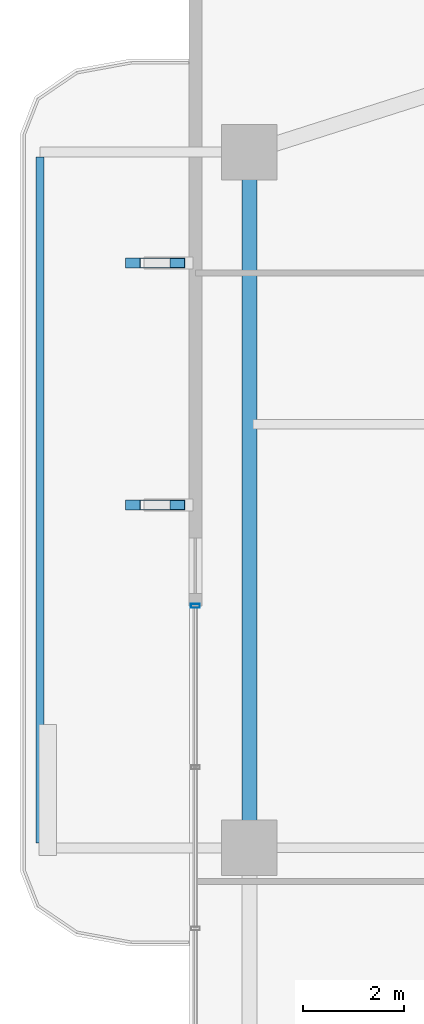
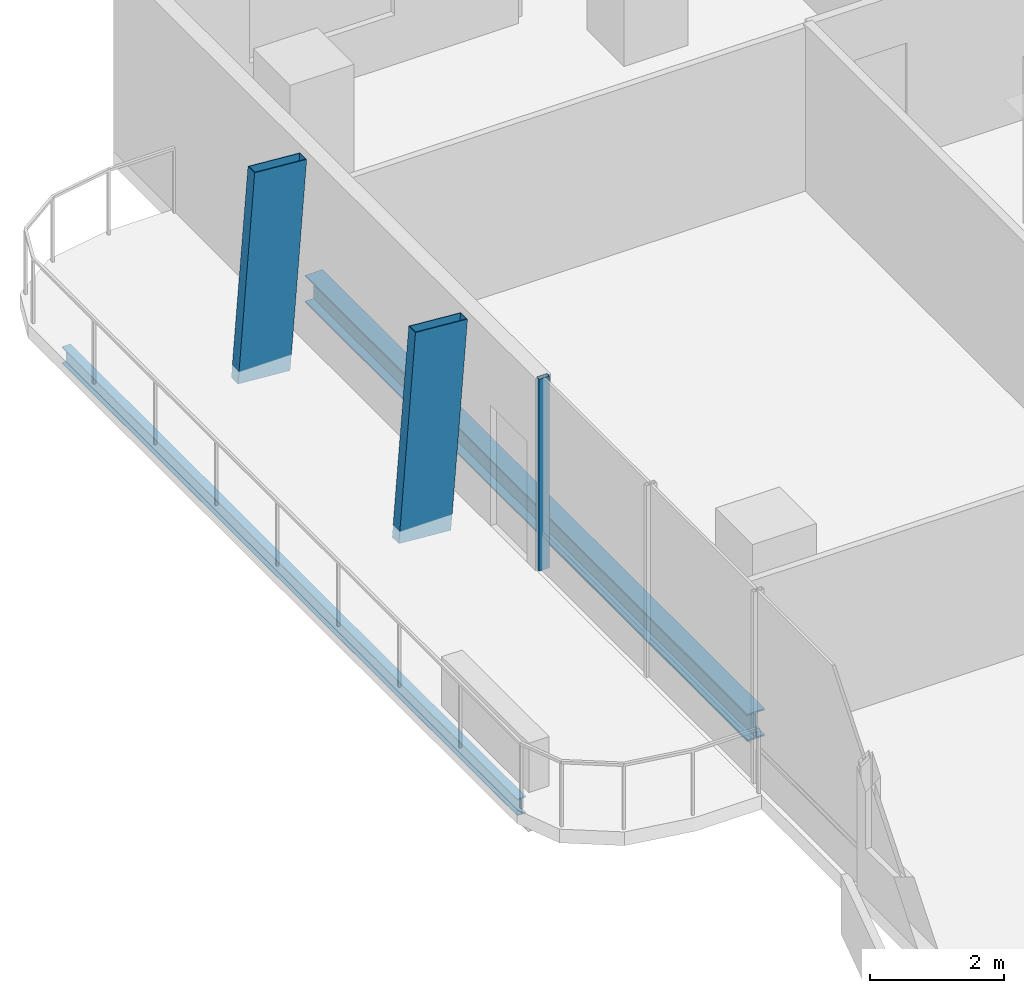
# One storey, part 12 of 25: 3 members, 2 beams, 1 element without a shape of its own.
"""IFC4 building model written with IfcOpenShell, lengths in metres."""

from ifc_helpers import new_model, si_unit, direction, frame, origin, origin_2d, place, context, subcontext, project, spatial, hollow_rectangle, i_section, extrude, material, layer, layer_set, material_profile, profile_set, type_object, element, aggregate, save


model = new_model("IFC4")

# Units and contexts
model_context = context("Model", 3, precision=1e-05, world=origin(), true_north=direction((0.0, 1.0)))
body_context = subcontext(model_context, "Body", "Model", "MODEL_VIEW")
ifc_project = project(units=[si_unit("LENGTHUNIT", "METRE"), si_unit("AREAUNIT", "SQUARE_METRE"), si_unit("VOLUMEUNIT", "CUBIC_METRE"), si_unit("PLANEANGLEUNIT", "RADIAN"), si_unit("MASSUNIT", "GRAM", prefix="KILO")], contexts=[model_context])

# Site, building, storey
site_placement = place(None, origin())
site = spatial("IfcSite", under=ifc_project, at=site_placement, CompositionType="ELEMENT")
building_placement = place(site_placement, origin())
building = spatial("IfcBuilding", under=site, at=building_placement, Name="Belovzor Exchange Tower", CompositionType="ELEMENT")
storey_placement = place(building_placement, frame((0.0, 0.0, 183.300048828125)))
storey = spatial("IfcBuildingStorey", under=building, at=storey_placement, Name="L45", CompositionType="ELEMENT", Elevation=183.300048828125)

# Beam
ifc_material_1 = material(Name="Steel S355", Category="steel")
ifc_material_profile_1 = material_profile(ifc_material_1, i_section(OverallWidth=0.14990234375, OverallDepth=0.300048828125, WebThickness=0.007080078125, FlangeThickness=0.0107421875, at=origin_2d()))
ifc_profile_set_1 = profile_set([ifc_material_profile_1], Name="Steel S355")
beam_type_1 = type_object("IfcBeamType", Name="Planted Balcony Fascia Edge Beam IPE 300", PredefinedType="BEAM", material=ifc_profile_set_1)
beam_1_placement = place(storey_placement, frame((1.547119140625, 42.5, -0.405029296875), z_axis=(0.0, -1.0, 0.0), x_axis=(1.0, 0.0, 0.0)))
element("IfcBeam", 1, at=beam_1_placement, inside=storey, type_object=beam_type_1, Name="BC-300 Planted Balcony Fascia Edge Beam IPE 300", PredefinedType="BEAM", context=body_context, shape_type="SweptSolid", body=[
    extrude(i_section(OverallWidth=0.14990234375, OverallDepth=0.300048828125, WebThickness=0.007080078125, FlangeThickness=0.0107421875, at=origin_2d()), origin(), (0.0, 0.0, 1.0), 13.60009765625),
])

# Members
ifc_material_2 = material(Name="Extruded Architectural Terracotta on Steel S355 Carrier", Category="masonry")
ifc_material_profile_2 = material_profile(ifc_material_2, hollow_rectangle(XDim=0.199951171875, YDim=0.89990234375, WallThickness=0.011962890625, at=origin_2d()))
ifc_profile_set_2 = profile_set([ifc_material_profile_2], Name="Extruded Architectural Terracotta on Steel S355 Carrier")
member_type_1 = type_object("IfcMemberType", Name="Sweeping Terracotta Baguette Fin Assembly 1250", PredefinedType="USERDEFINED", material=ifc_profile_set_2)
for number, where, z_axis, x_axis, name in (
    (2, (3.68896484375, 35.60009765625, -0.255126953125), (0.076080932854, 0.0, 0.997101645599), (0.0, 1.0, 0.0), "FIN-TC125 Terracotta Facade Fin L45 W3"),
    (3, (3.68896484375, 40.39990234375, -0.255126953125), (0.076080932854, 0.0, 0.997101645599), (0.0, 1.0, 0.0), "FIN-TC125 Terracotta Facade Fin L45 W4"),
):
    element("IfcMember", number, at=place(storey_placement, frame(where, z_axis=z_axis, x_axis=x_axis)), inside=storey, type_object=member_type_1, Name=name, ObjectType="FIN", PredefinedType="USERDEFINED", context=body_context, shape_type="SweptSolid", body=[
        extrude(hollow_rectangle(XDim=0.199951171875, YDim=0.89990234375, WallThickness=0.011962890625, at=origin_2d()), origin(), (0.0, 0.0, 1.0), 3.760986328125),
    ])

# Curtain wall, member
ifc_material_3 = material(Name="Anodised Aluminium Framing", Category="aluminium")
ifc_layer = layer(ifc_material_3, 0.179931640625)
ifc_layer_set = layer_set([ifc_layer], Name="Anodised Aluminium Framing")
curtain_wall_type = type_object("IfcCurtainWallType", Name="Recessed Loggia Low-Iron Triple-Glazed Curtain Wall", PredefinedType="NOTDEFINED", material=ifc_layer_set)
curtain_wall_placement = place(storey_placement, origin())
curtain_wall = element("IfcCurtainWall", 4, at=curtain_wall_placement, inside=storey, type_object=curtain_wall_type, Name="CW3 Recessed Loggia Low-Iron Triple-Glazed Curtain Wall L45", PredefinedType="NOTDEFINED")
ifc_material_4 = material(Name="Steel S355", Category="steel")
ifc_material_profile_3 = material_profile(ifc_material_4, hollow_rectangle(XDim=0.074951171875, YDim=0.179931640625, WallThickness=0.0048828125, at=origin_2d()))
ifc_profile_set_3 = profile_set([ifc_material_profile_3], Name="Steel S355")
member_type_2 = type_object("IfcMemberType", Name="Thermally Broken Curtain Wall Mullion 180x75", PredefinedType="MULLION", material=ifc_profile_set_3)
member_placement = place(storey_placement, frame((4.6298828125, 33.60009765625, 0.0), z_axis=(0.0, 0.0, 1.0), x_axis=(0.0, 1.0, 0.0)))
member = element("IfcMember", 5, at=member_placement, type_object=member_type_2, Name="CW-M180 Curtain Wall Mullion 4", PredefinedType="MULLION", context=body_context, shape_type="SweptSolid", body=[
    extrude(hollow_rectangle(XDim=0.074951171875, YDim=0.179931640625, WallThickness=0.0048828125, at=origin_2d()), origin(), (0.0, 0.0, 1.0), 3.494873046875),
])
aggregate(curtain_wall, [member])

# Beam
ifc_material_5 = material(Name="Steel S355", Category="steel")
ifc_material_profile_4 = material_profile(ifc_material_5, i_section(OverallWidth=0.300048828125, OverallDepth=0.5, WebThickness=0.014404296875, FlangeThickness=0.028076171875, at=origin_2d()))
ifc_profile_set_4 = profile_set([ifc_material_profile_4], Name="Steel S355")
beam_type_2 = type_object("IfcBeamType", Name="Zone 3 Waist Primary Girder HEB 500", PredefinedType="BEAM", material=ifc_profile_set_4)
beam_2_placement = place(storey_placement, frame((5.699951171875, 42.297119140625, -0.505126953125), z_axis=(0.0, -1.0, 0.0), x_axis=(1.0, 0.0, 0.0)))
element("IfcBeam", 6, at=beam_2_placement, inside=storey, type_object=beam_type_2, Name="FG-Z3 Zone 3 Waist Primary Girder HEB 500", PredefinedType="BEAM", context=body_context, shape_type="SweptSolid", body=[
    extrude(i_section(OverallWidth=0.300048828125, OverallDepth=0.5, WebThickness=0.014404296875, FlangeThickness=0.028076171875, at=origin_2d()), origin(), (0.0, 0.0, 1.0), 13.195068359375),
])

save(model, "model.ifc")
